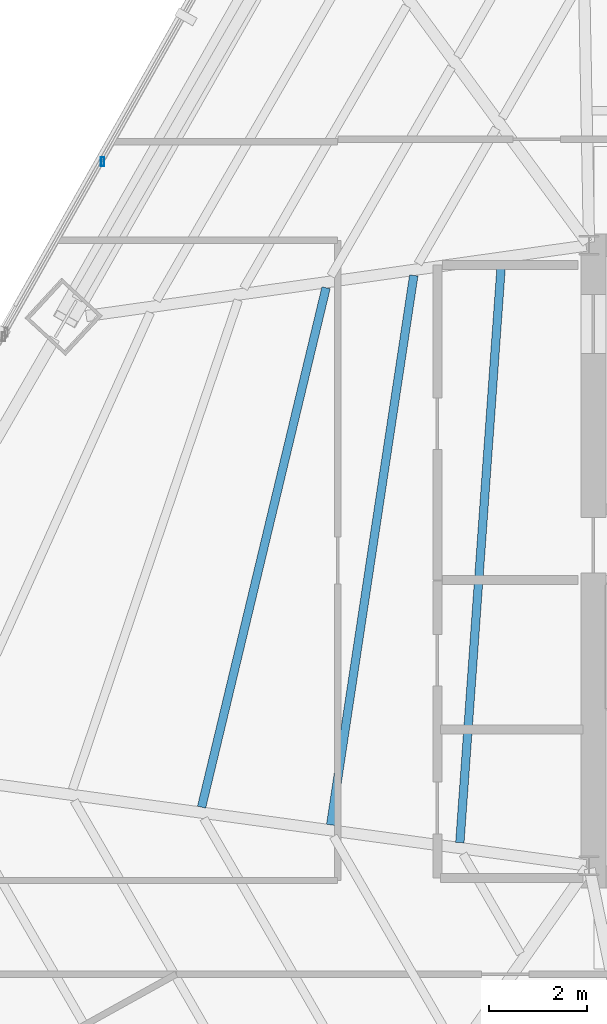
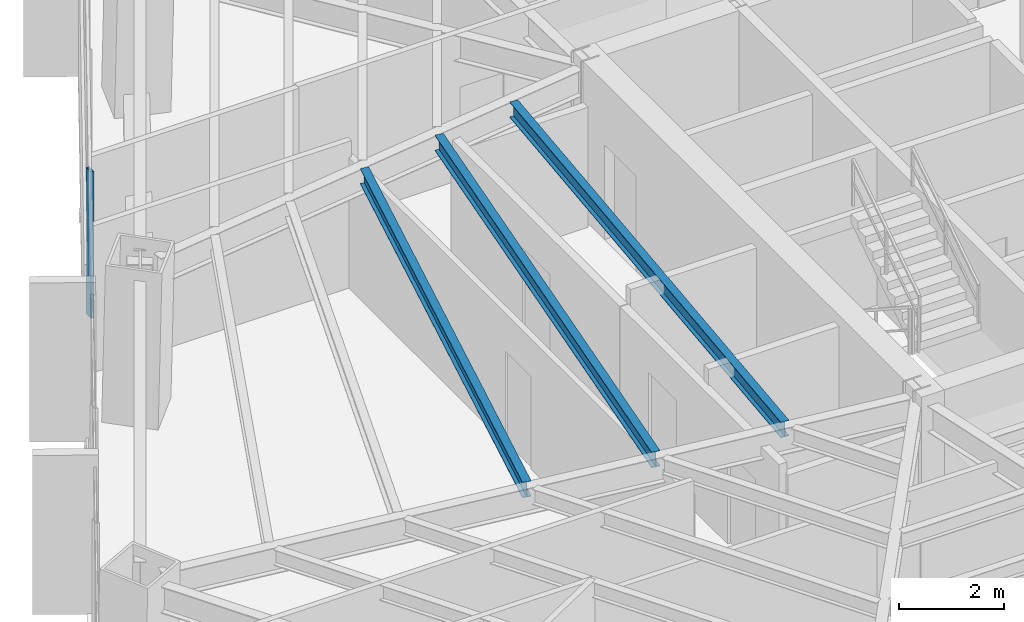
# One storey, part 12 of 35: 3 beams, 1 member, 1 element without a shape of its own.
"""IFC4 building model written with IfcOpenShell, lengths in metres."""

from ifc_helpers import new_model, si_unit, direction, frame, origin, origin_2d, place, context, subcontext, project, spatial, hollow_rectangle, i_section, extrude, source, transform, mapped, material, material_profile, profile_set, type_object, type_shapes, element, aggregate, save


model = new_model("IFC4")

# Units and contexts
model_context = context("Model", 3, precision=1e-05, world=origin(), true_north=direction((0.0, 1.0)))
body_context = subcontext(model_context, "Body", "Model", "MODEL_VIEW")
ifc_project = project(units=[si_unit("LENGTHUNIT", "METRE"), si_unit("AREAUNIT", "SQUARE_METRE"), si_unit("VOLUMEUNIT", "CUBIC_METRE"), si_unit("PLANEANGLEUNIT", "RADIAN"), si_unit("MASSUNIT", "GRAM", prefix="KILO")], contexts=[model_context])

# Site, building, storey
site_placement = place(None, origin())
site = spatial("IfcSite", under=ifc_project, at=site_placement, CompositionType="ELEMENT")
building_placement = place(site_placement, origin())
building = spatial("IfcBuilding", under=site, at=building_placement, Name="Caelisora Broadcast Tower", CompositionType="ELEMENT")
storey_placement = place(building_placement, frame((0.0, 0.0, 87.14990234375)))
storey = spatial("IfcBuildingStorey", under=building, at=storey_placement, Name="L22", CompositionType="ELEMENT", Elevation=87.14990234375)

# Beams
ifc_material_1 = material(Name="Steel Grade 350 (AS/NZS 3679.1)", Category="steel")
ifc_material_profile_1 = material_profile(ifc_material_1, i_section(OverallWidth=0.172119140625, OverallDepth=0.358642578125, WebThickness=0.008056640625, FlangeThickness=0.012939453125, at=origin_2d()), Name="Steel Grade 350 (AS/NZS 3679.1)")
ifc_profile_set_1 = profile_set([ifc_material_profile_1], Name="Steel Grade 350 (AS/NZS 3679.1)")
beam_type = type_object("IfcBeamType", Name="SB02", PredefinedType="JOIST", material=ifc_profile_set_1)
shared_shape_1 = source(origin(), body_context, "Body", "SweptSolid", [
    extrude(i_section(OverallWidth=0.172119140625, OverallDepth=0.358642578125, WebThickness=0.008056640625, FlangeThickness=0.012939453125, at=origin_2d()), origin(), (0.0, 0.0, 1.0), 11.796142578125),
])
beam_1_placement = place(storey_placement, frame((28.72119140625, 29.637451171875, 3.220703125), z_axis=(-0.071548567503, -0.99743711706, 0.0), x_axis=(0.99743711706, -0.071548567503, 0.0)))
element("IfcBeam", 1, at=beam_1_placement, inside=storey, type_object=beam_type, Name="L22 beam SB02", PredefinedType="JOIST", context=body_context, shape_type="MappedRepresentation", body=[
    mapped(shared_shape_1, transform((0.0, 0.0, 0.0), scale=1.0)),
])
shared_shape_2 = source(origin(), body_context, "Body", "SweptSolid", [
    extrude(i_section(OverallWidth=0.172119140625, OverallDepth=0.358642578125, WebThickness=0.008056640625, FlangeThickness=0.012939453125, at=origin_2d()), origin(), (0.0, 0.0, 1.0), 11.281982421875),
])
beam_2_placement = place(storey_placement, frame((26.94140625, 29.38671875, 3.220703125), z_axis=(-0.149487418819, -0.988763627777, 0.0), x_axis=(0.988763627777, -0.149487418819, 0.0)))
element("IfcBeam", 2, at=beam_2_placement, inside=storey, type_object=beam_type, Name="L22 beam SB02", PredefinedType="JOIST", context=body_context, shape_type="MappedRepresentation", body=[
    mapped(shared_shape_2, transform((0.0, 0.0, 0.0), scale=1.0)),
])
shared_shape_3 = source(origin(), body_context, "Body", "SweptSolid", [
    extrude(i_section(OverallWidth=0.172119140625, OverallDepth=0.358642578125, WebThickness=0.008056640625, FlangeThickness=0.012939453125, at=origin_2d()), origin(), (0.0, 0.0, 1.0), 10.843505859375),
])
type_shapes(beam_type, [shared_shape_1, shared_shape_2, shared_shape_3])
beam_3_placement = place(storey_placement, frame((25.16015625, 29.135986328125, 3.220703125), z_axis=(-0.233030614105, -0.972469399462, 0.0), x_axis=(0.972469399462, -0.233030614105, 0.0)))
element("IfcBeam", 3, at=beam_3_placement, inside=storey, type_object=beam_type, Name="L22 beam SB02", PredefinedType="JOIST", context=body_context, shape_type="MappedRepresentation", body=[
    mapped(shared_shape_3, transform((0.0, 0.0, 0.0), scale=1.0)),
])

# Curtain wall, member
ifc_material_2 = material(Name="Unitised Aluminium Insulated Shadow-Box Spandrel Curtain Wall", Category="aluminium")
curtain_wall_type = type_object("IfcCurtainWallType", Name="CW-SP1", PredefinedType="NOTDEFINED", material=ifc_material_2)
curtain_wall_placement = place(storey_placement, origin())
curtain_wall = element("IfcCurtainWall", 4, at=curtain_wall_placement, inside=storey, type_object=curtain_wall_type, Name="L22 curtain wall CW-SP1", PredefinedType="NOTDEFINED")
ifc_material_3 = material(Name="Aluminium 6063-T6 Anodised Terracotta Bronze", Category="aluminium")
ifc_material_profile_2 = material_profile(ifc_material_3, hollow_rectangle(XDim=0.06494140625, YDim=0.179931640625, WallThickness=0.00341796875, at=origin_2d()), Name="Aluminium 6063-T6 Anodised Terracotta Bronze")
ifc_profile_set_2 = profile_set([ifc_material_profile_2], Name="Aluminium 6063-T6 Anodised Terracotta Bronze")
member_type = type_object("IfcMemberType", Name="CWM-02", PredefinedType="MULLION", material=ifc_profile_set_2)
shared_shape_4 = source(origin(), body_context, "Body", "SweptSolid", [
    extrude(hollow_rectangle(XDim=0.06494140625, YDim=0.179931640625, WallThickness=0.00341796875, at=origin_2d()), origin(), (0.0, 0.0, 1.0), 3.400146484375),
])
type_shapes(member_type, [shared_shape_4])
member_placement = place(storey_placement, frame((20.621826171875, 31.698974609375, 0.0), z_axis=(0.0, 0.0, 1.0), x_axis=(1.0, 0.0, 0.0)))
member = element("IfcMember", 5, at=member_placement, type_object=member_type, Name="L22-CW-B10 mullion #1", PredefinedType="MULLION", context=body_context, shape_type="MappedRepresentation", body=[
    mapped(shared_shape_4, transform((0.0, 0.0, 0.0), scale=1.0)),
])
aggregate(curtain_wall, [member])

save(model, "model.ifc")
